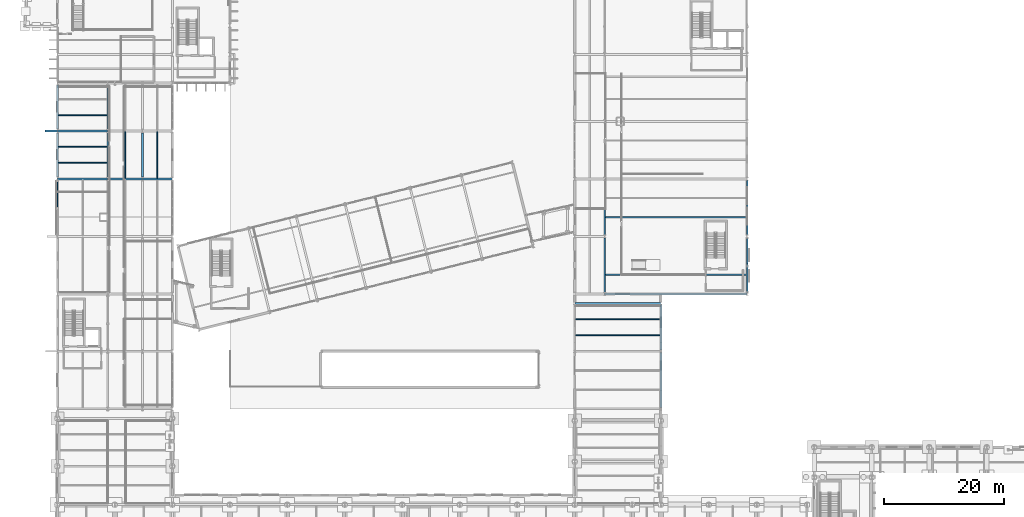
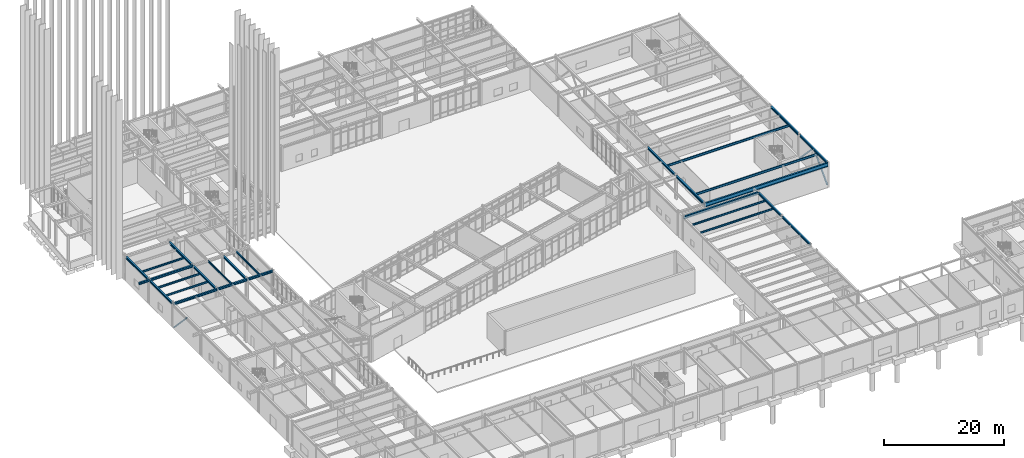
# One storey, part 33 of 109: 27 beams, 3 members.
"""IFC4 building model written with IfcOpenShell, lengths in metres."""

from ifc_helpers import new_model, si_unit, direction, frame, origin, origin_2d, place, context, subcontext, project, spatial, hollow_rectangle, hollow_circle, i_section, extrude, material, material_profile, profile_set, type_object, element, save


model = new_model("IFC4")

# Units and contexts
model_context = context("Model", 3, precision=1e-05, world=origin(), true_north=direction((0.0, 1.0)))
body_context = subcontext(model_context, "Body", "Model", "MODEL_VIEW")
ifc_project = project(units=[si_unit("LENGTHUNIT", "METRE"), si_unit("AREAUNIT", "SQUARE_METRE"), si_unit("VOLUMEUNIT", "CUBIC_METRE"), si_unit("PLANEANGLEUNIT", "RADIAN"), si_unit("MASSUNIT", "GRAM", prefix="KILO")], contexts=[model_context])

# Site, building, storey
site_placement = place(None, origin())
site = spatial("IfcSite", under=ifc_project, at=site_placement, CompositionType="ELEMENT")
building_placement = place(site_placement, origin())
building = spatial("IfcBuilding", under=site, at=building_placement, Name="Nordkorset Police Headquarters", CompositionType="ELEMENT")
storey_placement = place(building_placement, origin())
storey = spatial("IfcBuildingStorey", under=building, at=storey_placement, Name="L00", CompositionType="ELEMENT", Elevation=0.0)

# Beams
ifc_material_1 = material(Name="Steel S355J2", Category="steel")
ifc_material_profile_1 = material_profile(ifc_material_1, i_section(OverallWidth=0.169921875, OverallDepth=0.360107421875, WebThickness=0.008056640625, FlangeThickness=0.0126953125, FilletRadius=0.01806640625, at=origin_2d()), Name="IPE 360")
ifc_profile_set_1 = profile_set([ifc_material_profile_1], Name="Steel S355J2")
beam_type_1 = type_object("IfcBeamType", Name="Beam_IPE_360", PredefinedType="BEAM", material=ifc_profile_set_1)
for number, where, z_axis, x_axis, name in (
    (1, (0.14990234375, 69.86669921875, 4.820068359375), (1.0, 0.0, 0.0), (0.0, 1.0, 0.0), "Composite Floor Beam V3 L00 0-4-1"),
    (2, (0.14990234375, 72.533447265625, 4.820068359375), (1.0, 0.0, 0.0), (0.0, 1.0, 0.0), "Composite Floor Beam V3 L00 0-4-2"),
    (3, (0.14990234375, 77.86669921875, 4.820068359375), (1.0, 0.0, 0.0), (0.0, 1.0, 0.0), "Composite Floor Beam V3 L00 0-5-1"),
):
    element("IfcBeam", number, at=place(storey_placement, frame(where, z_axis=z_axis, x_axis=x_axis)), inside=storey, type_object=beam_type_1, Name=name, PredefinedType="BEAM", context=body_context, shape_type="SweptSolid", body=[
        extrude(i_section(OverallWidth=0.169921875, OverallDepth=0.360107421875, WebThickness=0.008056640625, FlangeThickness=0.0126953125, FilletRadius=0.01806640625, at=origin_2d()), origin(), (0.0, 0.0, 1.0), 8.10009765625),
    ])
for number, where, z_axis, x_axis, name in (
    (4, (11.300048828125, 67.35009765625, 4.820068359375), (0.0, 1.0, 0.0), (-1.0, 0.0, 0.0), "Composite Floor Beam V3 L00 1-4-1"),
    (5, (16.699951171875, 67.35009765625, 4.820068359375), (0.0, 1.0, 0.0), (-1.0, 0.0, 0.0), "Composite Floor Beam V3 L00 2-4-1"),
):
    element("IfcBeam", number, at=place(storey_placement, frame(where, z_axis=z_axis, x_axis=x_axis)), inside=storey, type_object=beam_type_1, Name=name, PredefinedType="BEAM", context=body_context, shape_type="SweptSolid", body=[
        extrude(i_section(OverallWidth=0.169921875, OverallDepth=0.360107421875, WebThickness=0.008056640625, FlangeThickness=0.0126953125, FilletRadius=0.01806640625, at=origin_2d()), origin(), (0.0, 0.0, 1.0), 7.699951171875),
    ])
for number, where, z_axis, x_axis, name in (
    (6, (86.550048828125, 41.066650390625, 4.820068359375), (1.0, 0.0, 0.0), (0.0, 1.0, 0.0), "Composite Floor Beam V7EN L00 0-1-1"),
    (7, (86.550048828125, 43.7333984375, 4.820068359375), (1.0, 0.0, 0.0), (0.0, 1.0, 0.0), "Composite Floor Beam V7EN L00 0-1-2"),
):
    element("IfcBeam", number, at=place(storey_placement, frame(where, z_axis=z_axis, x_axis=x_axis)), inside=storey, type_object=beam_type_1, Name=name, PredefinedType="BEAM", context=body_context, shape_type="SweptSolid", body=[
        extrude(i_section(OverallWidth=0.169921875, OverallDepth=0.360107421875, WebThickness=0.008056640625, FlangeThickness=0.0126953125, FilletRadius=0.01806640625, at=origin_2d()), origin(), (0.0, 0.0, 1.0), 14.099853515625),
    ])
ifc_material_2 = material(Name="Steel S355J2", Category="steel")
ifc_material_profile_2 = material_profile(ifc_material_2, i_section(OverallWidth=0.18994140625, OverallDepth=0.449951171875, WebThickness=0.009521484375, FlangeThickness=0.0146484375, FilletRadius=0.02099609375, at=origin_2d()), Name="IPE 450")
ifc_profile_set_2 = profile_set([ifc_material_profile_2], Name="Steel S355J2")
beam_type_2 = type_object("IfcBeamType", Name="Beam_IPE_450", PredefinedType="BEAM", material=ifc_profile_set_2)
for number, where, z_axis, x_axis, name in (
    (8, (91.550048828125, 51.199951171875, 4.77490234375), (1.0, 0.0, 0.0), (0.0, 1.0, 0.0), "Composite Floor Beam V5 L00 1-0-1"),
    (9, (91.550048828125, 60.800048828125, 4.77490234375), (1.0, 0.0, 0.0), (0.0, 1.0, 0.0), "Composite Floor Beam V5 L00 1-1-1"),
):
    element("IfcBeam", number, at=place(storey_placement, frame(where, z_axis=z_axis, x_axis=x_axis)), inside=storey, type_object=beam_type_2, Name=name, PredefinedType="BEAM", context=body_context, shape_type="SweptSolid", body=[
        extrude(i_section(OverallWidth=0.18994140625, OverallDepth=0.449951171875, WebThickness=0.009521484375, FlangeThickness=0.0146484375, FilletRadius=0.02099609375, at=origin_2d()), origin(), (0.0, 0.0, 1.0), 23.5),
    ])

# Members
ifc_material_3 = material(Name="Steel S355J2", Category="steel")
ifc_material_profile_3 = material_profile(ifc_material_3, hollow_circle(Radius=0.136474609375, WallThickness=0.012451171875, at=origin_2d()), Name="CHS 273x12.5")
ifc_profile_set_3 = profile_set([ifc_material_profile_3], Name="Steel S355J2")
member_type_1 = type_object("IfcMemberType", Name="Brace_CHS_273x12.5", PredefinedType="BRACE", material=ifc_profile_set_3)
member_placement = place(storey_placement, frame((0.0, 66.89990234375, 0.199951171875), z_axis=(0.0, -0.68613602978, 0.727473263178), x_axis=(1.0, 0.0, 0.0)))
element("IfcMember", 10, at=member_placement, inside=storey, type_object=member_type_1, Name="Lateral Chevron Brace BF-EXT-V3W L00 D2", PredefinedType="BRACE", context=body_context, shape_type="SweptSolid", body=[
    extrude(hollow_circle(Radius=0.136474609375, WallThickness=0.012451171875, at=origin_2d()), origin(), (0.0, 0.0, 1.0), 6.2958984375),
])
ifc_material_4 = material(Name="Steel S355J2", Category="steel")
ifc_material_profile_4 = material_profile(ifc_material_4, hollow_rectangle(XDim=0.25, YDim=0.25, WallThickness=0.012451171875, InnerFilletRadius=0.012451171875, OuterFilletRadius=0.02490234375, at=origin_2d()), Name="SHS 250x250x12.5")
ifc_profile_set_4 = profile_set([ifc_material_profile_4], Name="Steel S355J2")
member_type_2 = type_object("IfcMemberType", Name="Brace_SHS_250x250x12.5", PredefinedType="BRACE", material=ifc_profile_set_4)
for number, where, z_axis, x_axis, name in (
    (11, (115.199951171875, 48.25, 0.199951171875), (0.0, 0.690328973723, 0.723495617153), (-1.0, 0.0, 0.0), "Lateral Chevron Brace BF-EXT-V5E0 L00 D1"),
    (12, (115.199951171875, 57.35009765625, 0.199951171875), (0.0, -0.690328973723, 0.723495617153), (1.0, 0.0, 0.0), "Lateral Chevron Brace BF-EXT-V5E0 L00 D2"),
):
    element("IfcMember", number, at=place(storey_placement, frame(where, z_axis=z_axis, x_axis=x_axis)), inside=storey, type_object=member_type_2, Name=name, PredefinedType="BRACE", context=body_context, shape_type="SweptSolid", body=[
        extrude(hollow_rectangle(XDim=0.25, YDim=0.25, WallThickness=0.012451171875, InnerFilletRadius=0.012451171875, OuterFilletRadius=0.02490234375, at=origin_2d()), origin(), (0.0, 0.0, 1.0), 6.33056640625),
    ])

# Beams
ifc_material_5 = material(Name="Steel S355J2", Category="steel")
ifc_material_profile_5 = material_profile(ifc_material_5, i_section(OverallWidth=0.300048828125, OverallDepth=0.389892578125, WebThickness=0.010986328125, FlangeThickness=0.01904296875, FilletRadius=0.027099609375, at=origin_2d()), Name="HEA 400")
ifc_profile_set_5 = profile_set([ifc_material_profile_5], Name="Steel S355J2")
beam_type_3 = type_object("IfcBeamType", Name="Girder_HEA_400", PredefinedType="USERDEFINED", material=ifc_profile_set_5)
beam_1_placement = place(storey_placement, frame((100.800048828125, 29.0, 4.804931640625), z_axis=(0.0, 1.0, 0.0), x_axis=(-1.0, 0.0, 0.0)))
element("IfcBeam", 13, at=beam_1_placement, inside=storey, type_object=beam_type_3, Name="Girder V7EN L00 GY-1-0", ObjectType="GIRDER", PredefinedType="USERDEFINED", context=body_context, shape_type="SweptSolid", body=[
    extrude(i_section(OverallWidth=0.300048828125, OverallDepth=0.389892578125, WebThickness=0.010986328125, FlangeThickness=0.01904296875, FilletRadius=0.027099609375, at=origin_2d()), origin(), (0.0, 0.0, 1.0), 9.199951171875),
])
beam_2_placement = place(storey_placement, frame((100.800048828125, 38.60009765625, 4.804931640625), z_axis=(0.0, 1.0, 0.0), x_axis=(-1.0, 0.0, 0.0)))
element("IfcBeam", 14, at=beam_2_placement, inside=storey, type_object=beam_type_3, Name="Girder V7EN L00 GY-1-1", ObjectType="GIRDER", PredefinedType="USERDEFINED", context=body_context, shape_type="SweptSolid", body=[
    extrude(i_section(OverallWidth=0.300048828125, OverallDepth=0.389892578125, WebThickness=0.010986328125, FlangeThickness=0.01904296875, FilletRadius=0.027099609375, at=origin_2d()), origin(), (0.0, 0.0, 1.0), 7.599853515625),
])
ifc_material_6 = material(Name="Steel S355J2", Category="steel")
ifc_material_profile_6 = material_profile(ifc_material_6, i_section(OverallWidth=0.300048828125, OverallDepth=0.43994140625, WebThickness=0.011474609375, FlangeThickness=0.02099609375, FilletRadius=0.027099609375, at=origin_2d()), Name="HEA 450")
ifc_profile_set_6 = profile_set([ifc_material_profile_6], Name="Steel S355J2")
beam_type_4 = type_object("IfcBeamType", Name="Girder_HEA_450", PredefinedType="USERDEFINED", material=ifc_profile_set_6)
beam_3_placement = place(storey_placement, frame((0.0078125, 67.199951171875, 4.780029296875), z_axis=(1.0, 0.0, 0.0), x_axis=(0.0, 1.0, 0.0)))
element("IfcBeam", 15, at=beam_3_placement, inside=storey, type_object=beam_type_4, Name="Girder V3 L00 GX-4-0", ObjectType="GIRDER", PredefinedType="USERDEFINED", context=body_context, shape_type="SweptSolid", body=[
    extrude(i_section(OverallWidth=0.300048828125, OverallDepth=0.43994140625, WebThickness=0.011474609375, FlangeThickness=0.02099609375, FilletRadius=0.027099609375, at=origin_2d()), origin(), (0.0, 0.0, 1.0), 8.384521484375),
])
beam_4_placement = place(storey_placement, frame((8.40771484375, 67.199951171875, 4.780029296875), z_axis=(1.0, 0.0, 0.0), x_axis=(0.0, 1.0, 0.0)))
element("IfcBeam", 16, at=beam_4_placement, inside=storey, type_object=beam_type_4, Name="Girder V3 L00 GX-4-1", ObjectType="GIRDER", PredefinedType="USERDEFINED", context=body_context, shape_type="SweptSolid", body=[
    extrude(i_section(OverallWidth=0.300048828125, OverallDepth=0.43994140625, WebThickness=0.011474609375, FlangeThickness=0.02099609375, FilletRadius=0.027099609375, at=origin_2d()), origin(), (0.0, 0.0, 1.0), 5.78466796875),
])
beam_5_placement = place(storey_placement, frame((14.207763671875, 67.199951171875, 4.780029296875), z_axis=(1.0, 0.0, 0.0), x_axis=(0.0, 1.0, 0.0)))
element("IfcBeam", 17, at=beam_5_placement, inside=storey, type_object=beam_type_4, Name="Girder V3 L00 GX-4-2", ObjectType="GIRDER", PredefinedType="USERDEFINED", context=body_context, shape_type="SweptSolid", body=[
    extrude(i_section(OverallWidth=0.300048828125, OverallDepth=0.43994140625, WebThickness=0.011474609375, FlangeThickness=0.02099609375, FilletRadius=0.027099609375, at=origin_2d()), origin(), (0.0, 0.0, 1.0), 4.98486328125),
])
beam_6_placement = place(storey_placement, frame((0.0078125, 75.199951171875, 4.780029296875), z_axis=(1.0, 0.0, 0.0), x_axis=(0.0, 1.0, 0.0)))
element("IfcBeam", 18, at=beam_6_placement, inside=storey, type_object=beam_type_4, Name="Girder V3 L00 GX-5-0", ObjectType="GIRDER", PredefinedType="USERDEFINED", context=body_context, shape_type="SweptSolid", body=[
    extrude(i_section(OverallWidth=0.300048828125, OverallDepth=0.43994140625, WebThickness=0.011474609375, FlangeThickness=0.02099609375, FilletRadius=0.027099609375, at=origin_2d()), origin(), (0.0, 0.0, 1.0), 8.384521484375),
])
beam_7_placement = place(storey_placement, frame((0.0, 67.5, 4.780029296875), z_axis=(0.0, 1.0, 0.0), x_axis=(-1.0, 0.0, 0.0)))
element("IfcBeam", 19, at=beam_7_placement, inside=storey, type_object=beam_type_4, Name="Girder V3 L00 GY-0-4", ObjectType="GIRDER", PredefinedType="USERDEFINED", context=body_context, shape_type="SweptSolid", body=[
    extrude(i_section(OverallWidth=0.300048828125, OverallDepth=0.43994140625, WebThickness=0.011474609375, FlangeThickness=0.02099609375, FilletRadius=0.027099609375, at=origin_2d()), origin(), (0.0, 0.0, 1.0), 7.39990234375),
])
beam_8_placement = place(storey_placement, frame((0.0, 75.5, 4.780029296875), z_axis=(0.0, 1.0, 0.0), x_axis=(-1.0, 0.0, 0.0)))
element("IfcBeam", 20, at=beam_8_placement, inside=storey, type_object=beam_type_4, Name="Girder V3 L00 GY-0-5", ObjectType="GIRDER", PredefinedType="USERDEFINED", context=body_context, shape_type="SweptSolid", body=[
    extrude(i_section(OverallWidth=0.300048828125, OverallDepth=0.43994140625, WebThickness=0.011474609375, FlangeThickness=0.02099609375, FilletRadius=0.027099609375, at=origin_2d()), origin(), (0.0, 0.0, 1.0), 7.375),
])
beam_9_placement = place(storey_placement, frame((8.39990234375, 67.5, 4.780029296875), z_axis=(0.0, 1.0, 0.0), x_axis=(-1.0, 0.0, 0.0)))
element("IfcBeam", 21, at=beam_9_placement, inside=storey, type_object=beam_type_4, Name="Girder V3 L00 GY-1-4", ObjectType="GIRDER", PredefinedType="USERDEFINED", context=body_context, shape_type="SweptSolid", body=[
    extrude(i_section(OverallWidth=0.300048828125, OverallDepth=0.43994140625, WebThickness=0.011474609375, FlangeThickness=0.02099609375, FilletRadius=0.027099609375, at=origin_2d()), origin(), (0.0, 0.0, 1.0), 7.39990234375),
])
beam_10_placement = place(storey_placement, frame((8.39990234375, 75.5, 4.780029296875), z_axis=(0.0, 1.0, 0.0), x_axis=(-1.0, 0.0, 0.0)))
element("IfcBeam", 22, at=beam_10_placement, inside=storey, type_object=beam_type_4, Name="Girder V3 L00 GY-1-5", ObjectType="GIRDER", PredefinedType="USERDEFINED", context=body_context, shape_type="SweptSolid", body=[
    extrude(i_section(OverallWidth=0.300048828125, OverallDepth=0.43994140625, WebThickness=0.011474609375, FlangeThickness=0.02099609375, FilletRadius=0.027099609375, at=origin_2d()), origin(), (0.0, 0.0, 1.0), 7.449951171875),
])
beam_11_placement = place(storey_placement, frame((14.199951171875, 67.5, 4.780029296875), z_axis=(0.0, 1.0, 0.0), x_axis=(-1.0, 0.0, 0.0)))
element("IfcBeam", 23, at=beam_11_placement, inside=storey, type_object=beam_type_4, Name="Girder V3 L00 GY-2-4", ObjectType="GIRDER", PredefinedType="USERDEFINED", context=body_context, shape_type="SweptSolid", body=[
    extrude(i_section(OverallWidth=0.300048828125, OverallDepth=0.43994140625, WebThickness=0.011474609375, FlangeThickness=0.02099609375, FilletRadius=0.027099609375, at=origin_2d()), origin(), (0.0, 0.0, 1.0), 7.39990234375),
])
beam_12_placement = place(storey_placement, frame((-0.0078125, 75.199951171875, 4.780029296875), z_axis=(-1.0, 0.0, 0.0), x_axis=(0.0, -1.0, 0.0)))
element("IfcBeam", 24, at=beam_12_placement, inside=storey, type_object=beam_type_4, Name="Sawtooth Facade Outrigger V3 L00 75", ObjectType="GIRDER", PredefinedType="USERDEFINED", context=body_context, shape_type="SweptSolid", body=[
    extrude(i_section(OverallWidth=0.300048828125, OverallDepth=0.43994140625, WebThickness=0.011474609375, FlangeThickness=0.02099609375, FilletRadius=0.027099609375, at=origin_2d()), origin(), (0.0, 0.0, 1.0), 2.0322265625),
])
beam_13_placement = place(storey_placement, frame((91.39990234375, 48.25, 4.780029296875), z_axis=(0.0, 1.0, 0.0), x_axis=(-1.0, 0.0, 0.0)))
element("IfcBeam", 25, at=beam_13_placement, inside=storey, type_object=beam_type_4, Name="Girder V5 L00 GY-1-0", ObjectType="GIRDER", PredefinedType="USERDEFINED", context=body_context, shape_type="SweptSolid", body=[
    extrude(i_section(OverallWidth=0.300048828125, OverallDepth=0.43994140625, WebThickness=0.011474609375, FlangeThickness=0.02099609375, FilletRadius=0.027099609375, at=origin_2d()), origin(), (0.0, 0.0, 1.0), 9.10009765625),
])
beam_14_placement = place(storey_placement, frame((91.39990234375, 57.85009765625, 4.780029296875), z_axis=(0.0, 1.0, 0.0), x_axis=(-1.0, 0.0, 0.0)))
element("IfcBeam", 26, at=beam_14_placement, inside=storey, type_object=beam_type_4, Name="Girder V5 L00 GY-1-1", ObjectType="GIRDER", PredefinedType="USERDEFINED", context=body_context, shape_type="SweptSolid", body=[
    extrude(i_section(OverallWidth=0.300048828125, OverallDepth=0.43994140625, WebThickness=0.011474609375, FlangeThickness=0.02099609375, FilletRadius=0.027099609375, at=origin_2d()), origin(), (0.0, 0.0, 1.0), 9.099853515625),
])
beam_15_placement = place(storey_placement, frame((115.199951171875, 48.25, 4.780029296875), z_axis=(0.0, 1.0, 0.0), x_axis=(-1.0, 0.0, 0.0)))
element("IfcBeam", 27, at=beam_15_placement, inside=storey, type_object=beam_type_4, Name="Girder V5 L00 GY-2-0", ObjectType="GIRDER", PredefinedType="USERDEFINED", context=body_context, shape_type="SweptSolid", body=[
    extrude(i_section(OverallWidth=0.300048828125, OverallDepth=0.43994140625, WebThickness=0.011474609375, FlangeThickness=0.02099609375, FilletRadius=0.027099609375, at=origin_2d()), origin(), (0.0, 0.0, 1.0), 9.10009765625),
])
beam_16_placement = place(storey_placement, frame((115.199951171875, 57.85009765625, 4.780029296875), z_axis=(0.0, 1.0, 0.0), x_axis=(-1.0, 0.0, 0.0)))
element("IfcBeam", 28, at=beam_16_placement, inside=storey, type_object=beam_type_4, Name="Girder V5 L00 GY-2-1", ObjectType="GIRDER", PredefinedType="USERDEFINED", context=body_context, shape_type="SweptSolid", body=[
    extrude(i_section(OverallWidth=0.300048828125, OverallDepth=0.43994140625, WebThickness=0.011474609375, FlangeThickness=0.02099609375, FilletRadius=0.027099609375, at=origin_2d()), origin(), (0.0, 0.0, 1.0), 9.099853515625),
])
ifc_material_7 = material(Name="Steel S355J2", Category="steel")
ifc_material_profile_7 = material_profile(ifc_material_7, i_section(OverallWidth=0.300048828125, OverallDepth=0.5400390625, WebThickness=0.012451171875, FlangeThickness=0.02392578125, FilletRadius=0.027099609375, at=origin_2d()), Name="HEA 550")
ifc_profile_set_7 = profile_set([ifc_material_profile_7], Name="Steel S355J2")
beam_type_5 = type_object("IfcBeamType", Name="Girder_HEA_550", PredefinedType="USERDEFINED", material=ifc_profile_set_7)
beam_17_placement = place(storey_placement, frame((86.40673828125, 46.39990234375, 4.72998046875), z_axis=(1.0, 0.0, 0.0), x_axis=(0.0, 1.0, 0.0)))
element("IfcBeam", 29, at=beam_17_placement, inside=storey, type_object=beam_type_5, Name="Girder V7EN L00 GX-2-0", ObjectType="GIRDER", PredefinedType="USERDEFINED", context=body_context, shape_type="SweptSolid", body=[
    extrude(i_section(OverallWidth=0.300048828125, OverallDepth=0.5400390625, WebThickness=0.012451171875, FlangeThickness=0.02392578125, FilletRadius=0.027099609375, at=origin_2d()), origin(), (0.0, 0.0, 1.0), 14.386474609375),
])
ifc_material_8 = material(Name="Steel S355J2", Category="steel")
ifc_material_profile_8 = material_profile(ifc_material_8, i_section(OverallWidth=0.300048828125, OverallDepth=0.800048828125, WebThickness=0.017578125, FlangeThickness=0.032958984375, FilletRadius=0.030029296875, at=origin_2d()), Name="HEB 800")
ifc_profile_set_8 = profile_set([ifc_material_profile_8], Name="Steel S355J2")
beam_type_6 = type_object("IfcBeamType", Name="Girder_HEB_800", PredefinedType="USERDEFINED", material=ifc_profile_set_8)
beam_18_placement = place(storey_placement, frame((91.4072265625, 48.0, 4.60009765625), z_axis=(1.0, 0.0, 0.0), x_axis=(0.0, 1.0, 0.0)))
element("IfcBeam", 30, at=beam_18_placement, inside=storey, type_object=beam_type_6, Name="Girder V5 L00 GX-0-1", ObjectType="GIRDER", PredefinedType="USERDEFINED", context=body_context, shape_type="SweptSolid", body=[
    extrude(i_section(OverallWidth=0.300048828125, OverallDepth=0.800048828125, WebThickness=0.017578125, FlangeThickness=0.032958984375, FilletRadius=0.030029296875, at=origin_2d()), origin(), (0.0, 0.0, 1.0), 23.785400390625),
])

save(model, "model.ifc")
